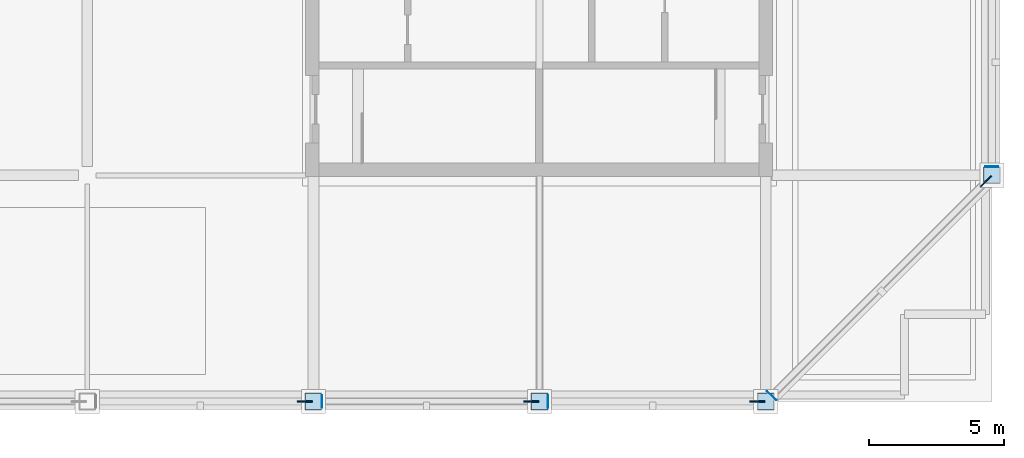
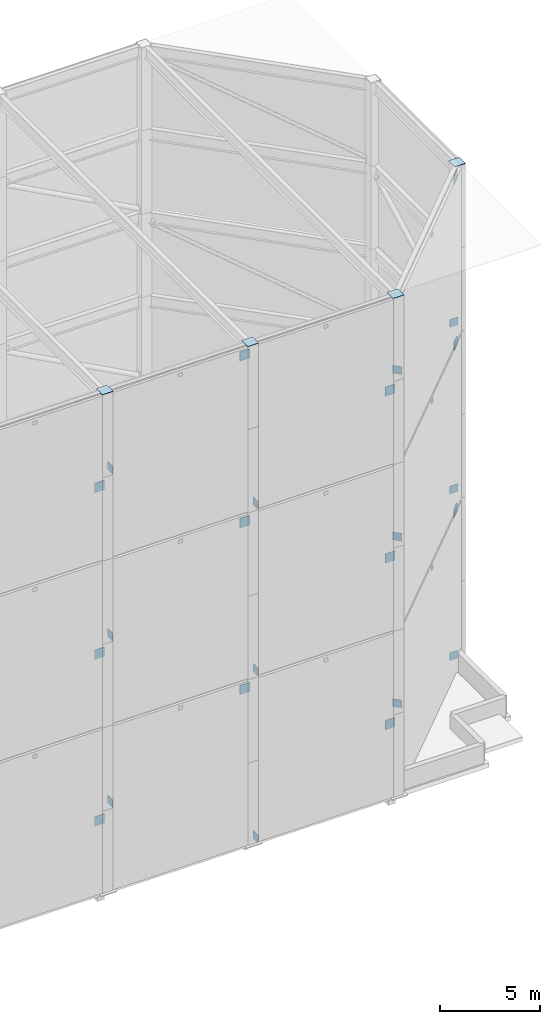
# One storey, part 10 of 17: 28 plates.
"""IFC4 building model written with IfcOpenShell, lengths in metres."""

from ifc_helpers import new_model, si_unit, direction, frame, origin, origin_2d, place, context, subcontext, project, spatial, rectangle, extrude, material, layer, layer_set, type_object, element, save


model = new_model("IFC4")

# Units and contexts
model_context = context("Model", 3, precision=1e-05, world=origin(), true_north=direction((0.0, 1.0)))
body_context = subcontext(model_context, "Body", "Model", "MODEL_VIEW")
ifc_project = project(units=[si_unit("LENGTHUNIT", "METRE"), si_unit("AREAUNIT", "SQUARE_METRE"), si_unit("VOLUMEUNIT", "CUBIC_METRE"), si_unit("PLANEANGLEUNIT", "RADIAN"), si_unit("MASSUNIT", "GRAM", prefix="KILO")], contexts=[model_context])

# Site, building, storey
site_placement = place(None, origin())
site = spatial("IfcSite", under=ifc_project, at=site_placement, CompositionType="ELEMENT")
building_placement = place(site_placement, origin())
building = spatial("IfcBuilding", under=site, at=building_placement, Name="Koriwani Terraces Tower", CompositionType="ELEMENT")
storey_placement = place(building_placement, frame((0.0, 0.0, 374.0)))
storey = spatial("IfcBuildingStorey", under=building, at=storey_placement, Name="RF", CompositionType="ELEMENT", Elevation=374.0)

# Plates
ifc_material = material(Name="Steel ASTM A572 Grade 50", Category="steel")
ifc_layer_1 = layer(ifc_material, 0.02490234375, Name="Steel ASTM A572 Grade 50")
ifc_layer_set_1 = layer_set([ifc_layer_1], Name="Steel ASTM A572 Grade 50")
plate_type_1 = type_object("IfcPlateType", Name="STEEL_CAP_PLATE_25", PredefinedType="USERDEFINED", material=ifc_layer_set_1)
for number, where, z_axis, x_axis, name in (
    (1, (42.0, 8.39990234375, 30.51513671875), (0.0, 0.0, 1.0), (1.0, 0.0, 0.0), "Crown Frame Column Cap Plate EP-04"),
    (2, (50.39990234375, 8.39990234375, 30.51513671875), (0.0, 0.0, 1.0), (1.0, 0.0, 0.0), "Crown Frame Column Cap Plate EP-05"),
    (3, (58.800048828125, 8.39990234375, 30.51513671875), (0.0, 0.0, 1.0), (1.0, 0.0, 0.0), "Crown Frame Column Cap Plate EP-06"),
    (4, (67.199951171875, 16.800048828125, 30.51513671875), (0.0, 0.0, 1.0), (1.0, 0.0, 0.0), "Crown Frame Column Cap Plate EP-07"),
):
    element("IfcPlate", number, at=place(storey_placement, frame(where, z_axis=z_axis, x_axis=x_axis)), inside=storey, type_object=plate_type_1, Name=name, ObjectType="FLANGE_PLATE", PredefinedType="USERDEFINED", context=body_context, shape_type="SweptSolid", body=[
        extrude(rectangle(XDim=0.6201171875, YDim=0.6201171875, at=origin_2d()), origin(), (0.0, 0.0, 1.0), 0.02490234375),
    ])
for number, where, z_axis, x_axis, name in (
    (5, (50.715087890625, 8.39990234375, -0.02099609375), (0.0, 0.0, 1.0), (1.0, 0.0, 0.0), "Brace End Cap Plate CFBR-T1-S04"),
    (6, (67.199951171875, 17.115234375, -0.02099609375), (0.0, 0.0, 1.0), (0.0, 1.0, 0.0), "Brace End Cap Plate CFBR-T1-S06"),
    (7, (42.315185546875, 8.39990234375, 5.06884765625), (0.0, 0.0, 1.0), (1.0, 0.0, 0.0), "Brace End Cap Plate CFBR-T2-S03"),
    (8, (59.0244140625, 8.62451171875, 5.06396484375), (0.0, 0.0, 1.0), (0.707106781187, 0.707106781187, 0.0), "Brace End Cap Plate CFBR-T2-S05"),
    (9, (50.715087890625, 8.39990234375, 10.158935546875), (0.0, 0.0, 1.0), (1.0, 0.0, 0.0), "Brace End Cap Plate CFBR-T3-S04"),
    (10, (67.199951171875, 17.115234375, 10.158935546875), (0.0, 0.0, 1.0), (0.0, 1.0, 0.0), "Brace End Cap Plate CFBR-T3-S06"),
    (11, (42.315185546875, 8.39990234375, 15.2490234375), (0.0, 0.0, 1.0), (1.0, 0.0, 0.0), "Brace End Cap Plate CFBR-T4-S03"),
    (12, (59.0244140625, 8.62451171875, 15.243896484375), (0.0, 0.0, 1.0), (0.707106781187, 0.707106781187, 0.0), "Brace End Cap Plate CFBR-T4-S05"),
    (13, (50.715087890625, 8.39990234375, 20.3388671875), (0.0, 0.0, 1.0), (1.0, 0.0, 0.0), "Brace End Cap Plate CFBR-T5-S04"),
    (14, (67.199951171875, 17.115234375, 20.3388671875), (0.0, 0.0, 1.0), (0.0, 1.0, 0.0), "Brace End Cap Plate CFBR-T5-S06"),
    (15, (42.315185546875, 8.39990234375, 25.428955078125), (0.0, 0.0, 1.0), (1.0, 0.0, 0.0), "Brace End Cap Plate CFBR-T6-S03"),
    (16, (59.0244140625, 8.62451171875, 25.424072265625), (0.0, 0.0, 1.0), (0.707106781187, 0.707106781187, 0.0), "Brace End Cap Plate CFBR-T6-S05"),
):
    element("IfcPlate", number, at=place(storey_placement, frame(where, z_axis=z_axis, x_axis=x_axis)), inside=storey, type_object=plate_type_1, Name=name, ObjectType="FLANGE_PLATE", PredefinedType="USERDEFINED", context=body_context, shape_type="SweptSolid", body=[
        extrude(rectangle(XDim=0.02490234375, YDim=0.47998046875, at=origin_2d()), origin(), (0.0, 0.0, 1.0), 0.47998046875),
    ])
ifc_layer_2 = layer(ifc_material, 0.0400390625, Name="Steel ASTM A572 Grade 50")
ifc_layer_set_2 = layer_set([ifc_layer_2], Name="Steel ASTM A572 Grade 50")
plate_type_2 = type_object("IfcPlateType", Name="STEEL_GUSSET_PLATE_40", PredefinedType="USERDEFINED", material=ifc_layer_set_2)
for number, where, z_axis, x_axis, name in (
    (17, (41.684814453125, 8.39990234375, 4.115966796875), (0.0, 0.0, 1.0), (1.0, 0.0, 0.0), "Brace Node Gusset Plate CFBR-T1-S02"),
    (18, (58.48486328125, 8.39990234375, 4.115966796875), (0.0, 0.0, 1.0), (1.0, 0.0, 0.0), "Brace Node Gusset Plate CFBR-T1-S04"),
    (19, (50.084716796875, 8.39990234375, 9.2060546875), (0.0, 0.0, 1.0), (1.0, 0.0, 0.0), "Brace Node Gusset Plate CFBR-T2-S03"),
    (20, (66.9755859375, 16.575439453125, 9.2109375), (0.0, 0.0, 1.0), (0.707106781187, 0.707106781187, 0.0), "Brace Node Gusset Plate CFBR-T2-S05"),
    (21, (41.684814453125, 8.39990234375, 14.296142578125), (0.0, 0.0, 1.0), (1.0, 0.0, 0.0), "Brace Node Gusset Plate CFBR-T3-S02"),
    (22, (58.48486328125, 8.39990234375, 14.296142578125), (0.0, 0.0, 1.0), (1.0, 0.0, 0.0), "Brace Node Gusset Plate CFBR-T3-S04"),
    (23, (50.084716796875, 8.39990234375, 19.38818359375), (0.0, 0.0, 1.0), (1.0, 0.0, 0.0), "Brace Node Gusset Plate CFBR-T4-S03"),
    (24, (66.9755859375, 16.575439453125, 19.39306640625), (0.0, 0.0, 1.0), (0.707106781187, 0.707106781187, 0.0), "Brace Node Gusset Plate CFBR-T4-S05"),
    (25, (41.684814453125, 8.39990234375, 24.47802734375), (0.0, 0.0, 1.0), (1.0, 0.0, 0.0), "Brace Node Gusset Plate CFBR-T5-S02"),
    (26, (58.48486328125, 8.39990234375, 24.47802734375), (0.0, 0.0, 1.0), (1.0, 0.0, 0.0), "Brace Node Gusset Plate CFBR-T5-S04"),
    (27, (50.084716796875, 8.39990234375, 29.568115234375), (0.0, 0.0, 1.0), (1.0, 0.0, 0.0), "Brace Node Gusset Plate CFBR-T6-S03"),
    (28, (66.9755859375, 16.575439453125, 29.572998046875), (0.0, 0.0, 1.0), (0.707106781187, 0.707106781187, 0.0), "Brace Node Gusset Plate CFBR-T6-S05"),
):
    element("IfcPlate", number, at=place(storey_placement, frame(where, z_axis=z_axis, x_axis=x_axis)), inside=storey, type_object=plate_type_2, Name=name, ObjectType="GUSSET_PLATE", PredefinedType="USERDEFINED", context=body_context, shape_type="SweptSolid", body=[
        extrude(rectangle(XDim=0.56005859375, YDim=0.0400390625, at=origin_2d()), origin(), (0.0, 0.0, 1.0), 0.56005859375),
    ])

save(model, "model.ifc")
